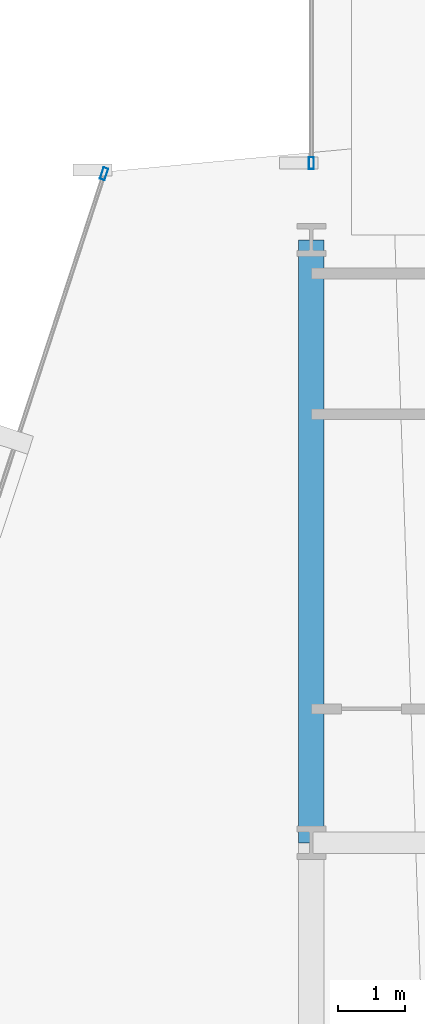
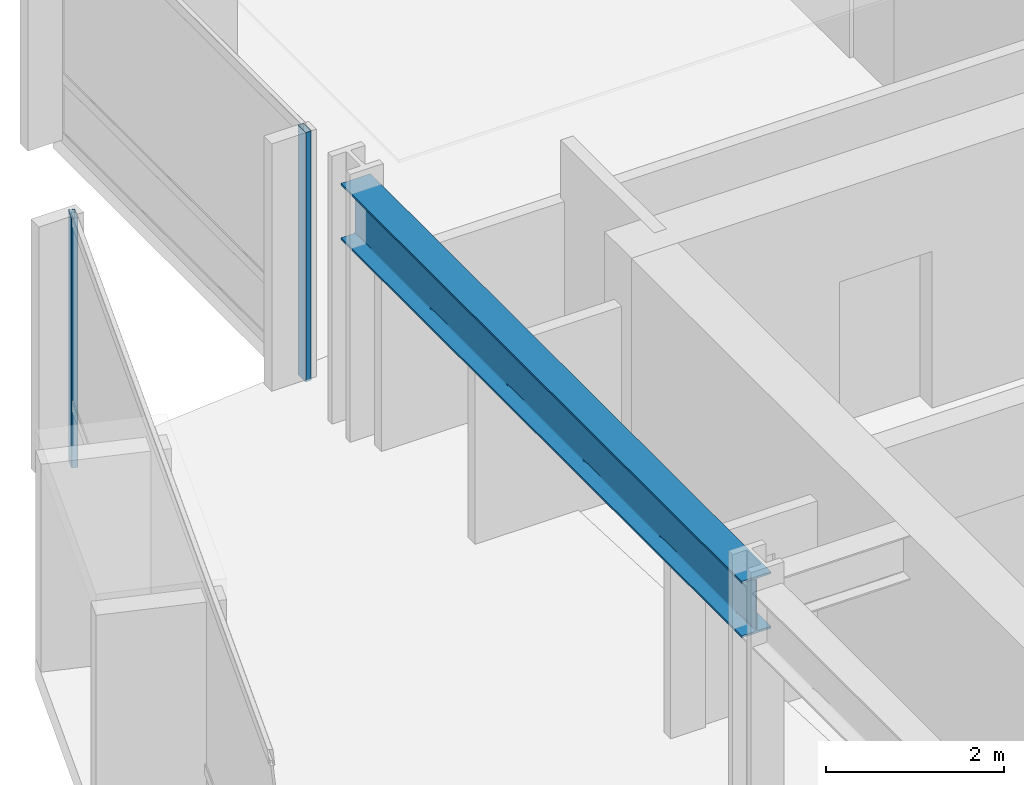
# One storey, part 19 of 34: 2 members, 1 beam, 2 elements without a shape of their own.
"""IFC4 building model written with IfcOpenShell, lengths in metres."""

from ifc_helpers import new_model, si_unit, direction, frame, origin, origin_2d, place, context, subcontext, project, spatial, hollow_rectangle, i_section, extrude, material, layer, layer_set, material_profile, profile_set, type_object, element, aggregate, save


model = new_model("IFC4")

# Units and contexts
model_context = context("Model", 3, precision=1e-05, world=origin(), true_north=direction((0.0, 1.0)))
body_context = subcontext(model_context, "Body", "Model", "MODEL_VIEW")
ifc_project = project(units=[si_unit("LENGTHUNIT", "METRE"), si_unit("AREAUNIT", "SQUARE_METRE"), si_unit("VOLUMEUNIT", "CUBIC_METRE"), si_unit("PLANEANGLEUNIT", "RADIAN"), si_unit("MASSUNIT", "GRAM", prefix="KILO")], contexts=[model_context])

# Site, building, storey
site_placement = place(None, origin())
site = spatial("IfcSite", under=ifc_project, at=site_placement, CompositionType="ELEMENT")
building_placement = place(site_placement, origin())
building = spatial("IfcBuilding", under=site, at=building_placement, Name="Solvaryn Broadcast Tower", CompositionType="ELEMENT")
storey_placement = place(building_placement, frame((0.0, 0.0, 61.89990234375)))
storey = spatial("IfcBuildingStorey", under=building, at=storey_placement, Name="L14", CompositionType="ELEMENT", Elevation=61.89990234375)

# Beam
ifc_material_1 = material(Name="Steel ASTM A992 Grade 50", Category="steel")
ifc_material_profile_1 = material_profile(ifc_material_1, i_section(OverallWidth=0.381103515625, OverallDepth=0.77294921875, WebThickness=0.0166015625, FlangeThickness=0.027099609375, FilletRadius=0.01806640625, at=origin_2d()))
ifc_profile_set_1 = profile_set([ifc_material_profile_1], Name="Steel ASTM A992 Grade 50")
beam_type = type_object("IfcBeamType", Name="BM-SP1-W30X173", PredefinedType="USERDEFINED", material=ifc_profile_set_1)
beam_placement = place(storey_placement, frame((9.0, 36.0, 3.03369140625), z_axis=(0.0, 1.0, 0.0), x_axis=(-1.0, 0.0, 0.0)))
element("IfcBeam", 1, at=beam_placement, inside=storey, type_object=beam_type, Name="L14 Spandrel Beam Y (36-45 @ X=9)", ObjectType="SPANDREL", PredefinedType="USERDEFINED", context=body_context, shape_type="SweptSolid", body=[
    extrude(i_section(OverallWidth=0.381103515625, OverallDepth=0.77294921875, WebThickness=0.0166015625, FlangeThickness=0.027099609375, FilletRadius=0.01806640625, at=origin_2d()), origin(), (0.0, 0.0, 1.0), 9.0),
])

# Curtain wall, member
ifc_material_2 = material(Name="Aluminium and Terracotta Unitised Curtain Wall", Category="masonry")
ifc_layer = layer(ifc_material_2, 0.199951171875)
ifc_layer_set = layer_set([ifc_layer], Name="CW-SYS2-LOWMID")
curtain_wall_type = type_object("IfcCurtainWallType", Name="CW-SYS2-LOWMID", PredefinedType="NOTDEFINED", material=ifc_layer_set)
curtain_wall_1_placement = place(storey_placement, origin())
curtain_wall_1 = element("IfcCurtainWall", 2, at=curtain_wall_1_placement, inside=storey, type_object=curtain_wall_type, Name="L14 Curtain Wall DR1", PredefinedType="NOTDEFINED")
ifc_material_3 = material(Name="Anodised Aluminium 6063-T6", Category="aluminium")
ifc_material_profile_2 = material_profile(ifc_material_3, hollow_rectangle(XDim=0.074951171875, YDim=0.179931640625, WallThickness=0.00390625, InnerFilletRadius=0.00390625, OuterFilletRadius=0.008056640625, at=origin_2d()))
ifc_profile_set_2 = profile_set([ifc_material_profile_2], Name="Anodised Aluminium 6063-T6")
member_type = type_object("IfcMemberType", Name="CW-MUL-180", PredefinedType="MULLION", material=ifc_profile_set_2)
member_1_placement = place(storey_placement, frame((5.90673828125, 45.987548828125, 0.0), z_axis=(0.0, 0.0, 1.0), x_axis=(0.950215318429, -0.311594044587, 0.0)))
member_1 = element("IfcMember", 3, at=member_1_placement, type_object=member_type, Name="CWS2 mullion 1", PredefinedType="MULLION", context=body_context, shape_type="SweptSolid", body=[
    extrude(hollow_rectangle(XDim=0.074951171875, YDim=0.179931640625, WallThickness=0.00390625, InnerFilletRadius=0.00390625, OuterFilletRadius=0.008056640625, at=origin_2d()), origin(), (0.0, 0.0, 1.0), 3.420166015625),
])
aggregate(curtain_wall_1, [member_1])

curtain_wall_2_placement = place(storey_placement, origin())
curtain_wall_2 = element("IfcCurtainWall", 4, at=curtain_wall_2_placement, inside=storey, type_object=curtain_wall_type, Name="L14 Curtain Wall W2", PredefinedType="NOTDEFINED")
member_2_placement = place(storey_placement, frame((9.0, 46.14599609375, 0.0), z_axis=(0.0, 0.0, 1.0), x_axis=(-1.0, 0.0, 0.0)))
member_2 = element("IfcMember", 5, at=member_2_placement, type_object=member_type, Name="CWS2 mullion 1", PredefinedType="MULLION", context=body_context, shape_type="SweptSolid", body=[
    extrude(hollow_rectangle(XDim=0.074951171875, YDim=0.179931640625, WallThickness=0.00390625, InnerFilletRadius=0.00390625, OuterFilletRadius=0.008056640625, at=origin_2d()), origin(), (0.0, 0.0, 1.0), 3.420166015625),
])
aggregate(curtain_wall_2, [member_2])

save(model, "model.ifc")
